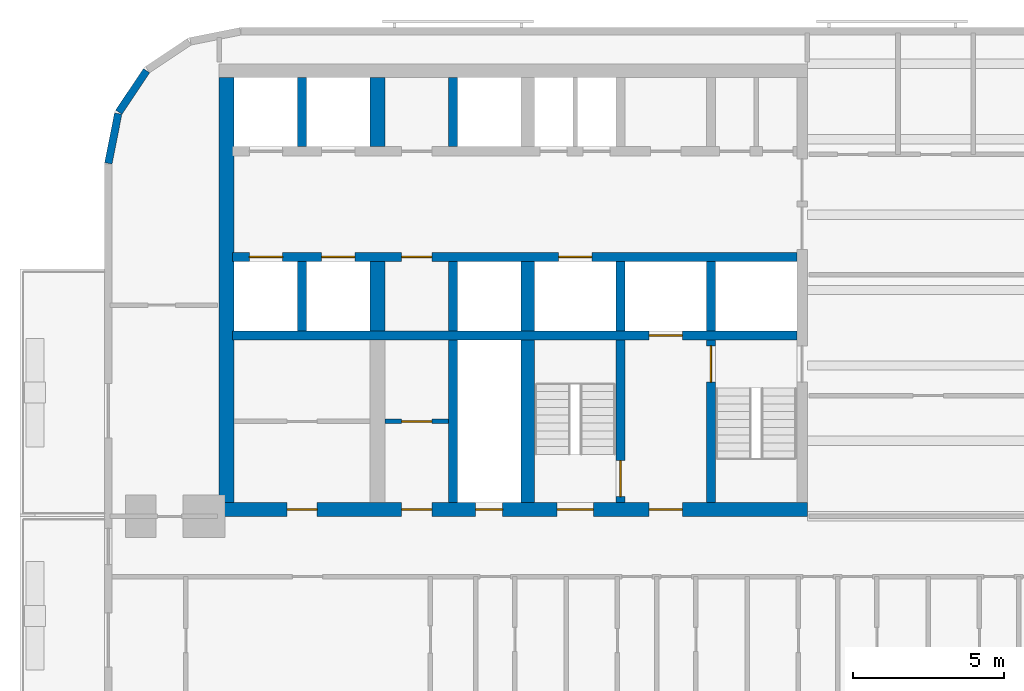
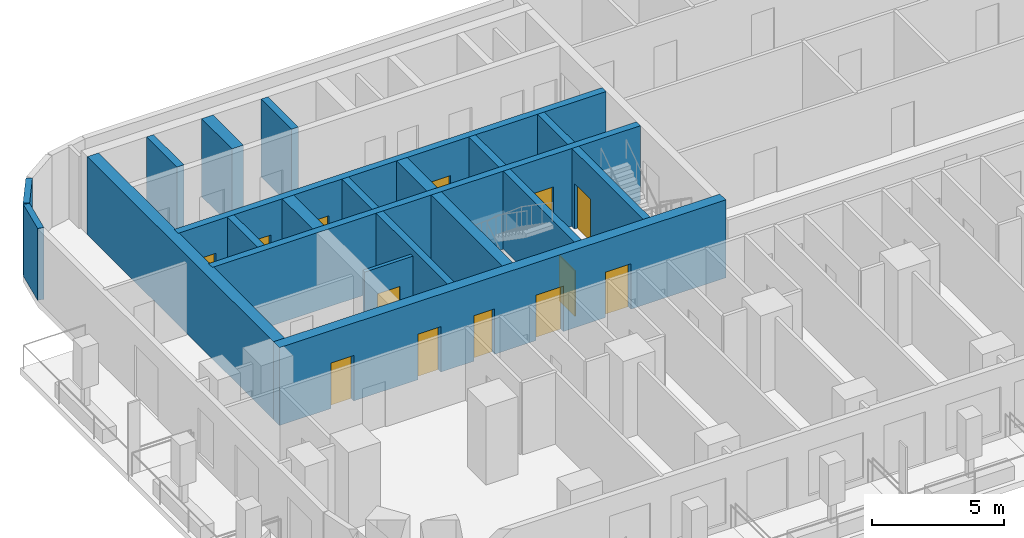
# One storey, part 3 of 14: 20 walls, 13 doors, 13 openings.
"""IFC4 building model written with IfcOpenShell, lengths in metres."""

from ifc_helpers import new_model, si_unit, direction, frame, frame_2d, origin, place, context, subcontext, project, spatial, rectangle, extrude, material, layer, layer_set, type_object, element, fill, save


model = new_model("IFC4")

# Units and contexts
model_context = context("Model", 3, precision=1e-05, world=origin(), true_north=direction((0.0, 1.0)))
body_context = subcontext(model_context, "Body", "Model", "MODEL_VIEW")
ifc_project = project(units=[si_unit("LENGTHUNIT", "METRE"), si_unit("AREAUNIT", "SQUARE_METRE"), si_unit("VOLUMEUNIT", "CUBIC_METRE"), si_unit("PLANEANGLEUNIT", "RADIAN"), si_unit("MASSUNIT", "GRAM", prefix="KILO")], contexts=[model_context])

# Site, building, storey
site_placement = place(None, origin())
site = spatial("IfcSite", under=ifc_project, at=site_placement, CompositionType="ELEMENT")
building_placement = place(site_placement, origin())
building = spatial("IfcBuilding", under=site, at=building_placement, Name="Torana Hotel and Residences", CompositionType="ELEMENT")
storey_placement = place(building_placement, frame((0.0, 0.0, 63.60009765625)))
storey = spatial("IfcBuildingStorey", under=building, at=storey_placement, Name="L15", CompositionType="ELEMENT", Elevation=63.60009765625)

# Wall, openings, doors
ifc_material_1 = material(Name="Concrete C80/95", Category="concrete")
ifc_layer_1 = layer(ifc_material_1, 0.300048828125)
ifc_layer_set_1 = layer_set([ifc_layer_1], Name="CORE WALL 300 C80/95")
wall_type_1 = type_object("IfcWallType", Name="CORE WALL 300 C80/95", PredefinedType="SHEAR", material=ifc_layer_set_1)
wall_1_placement = place(storey_placement, frame((-29.050048828125, -6.39990234375, 0.0), z_axis=(0.0, 0.0, 1.0), x_axis=(1.0, 0.0, 0.0)))
wall_1 = element("IfcWall", 1, at=wall_1_placement, inside=storey, type_object=wall_type_1, Name="Core wall W row-S", PredefinedType="SHEAR", context=body_context, shape_type="SweptSolid", body=[
    extrude(rectangle(XDim=18.699951171875, YDim=0.300048828125, at=frame_2d((9.35009765625, 0.0))), origin(), (0.0, 0.0, 1.0), 3.599853515625),
])
opening_1_placement = place(wall_1_placement, frame((2.949951171875, 0.0, 0.0)))
opening_1 = element("IfcOpeningElement", 2, at=opening_1_placement, cuts=wall_1, Name="Opening LD", PredefinedType="OPENING", context=body_context, shape_type="SweptSolid", body=[
    extrude(rectangle(XDim=1.10009765625, YDim=2.10009765625, at=frame_2d((0.550048828125, 1.050048828125))), frame((0.0, 0.159912109375, 0.0), z_axis=(0.0, -1.0, 0.0), x_axis=(1.0, 0.0, 0.0)), (0.0, 0.0, 1.0), 0.320068359375),
])
opening_2_placement = place(wall_1_placement, frame((0.550048828125, 0.0, 0.0)))
opening_2 = element("IfcOpeningElement", 3, at=opening_2_placement, cuts=wall_1, Name="Opening LD", PredefinedType="OPENING", context=body_context, shape_type="SweptSolid", body=[
    extrude(rectangle(XDim=1.10009765625, YDim=2.10009765625, at=frame_2d((0.550048828125, 1.050048828125))), frame((0.0, 0.159912109375, 0.0), z_axis=(0.0, -1.0, 0.0), x_axis=(1.0, 0.0, 0.0)), (0.0, 0.0, 1.0), 0.320068359375),
])
opening_3_placement = place(wall_1_placement, frame((10.800048828125, 0.0, 0.0)))
opening_3 = element("IfcOpeningElement", 4, at=opening_3_placement, cuts=wall_1, Name="Opening LD", PredefinedType="OPENING", context=body_context, shape_type="SweptSolid", body=[
    extrude(rectangle(XDim=1.10009765625, YDim=2.10009765625, at=frame_2d((0.550048828125, 1.050048828125))), frame((0.0, 0.159912109375, 0.0), z_axis=(0.0, -1.0, 0.0), x_axis=(1.0, 0.0, 0.0)), (0.0, 0.0, 1.0), 0.320068359375),
])
opening_4_placement = place(wall_1_placement, frame((5.60009765625, 0.0, 0.0)))
opening_4 = element("IfcOpeningElement", 5, at=opening_4_placement, cuts=wall_1, Name="Opening L15-15", PredefinedType="OPENING", context=body_context, shape_type="SweptSolid", body=[
    extrude(rectangle(XDim=1.0, YDim=2.10009765625, at=frame_2d((0.5, 1.050048828125))), frame((0.0, 0.159912109375, 0.0), z_axis=(0.0, -1.0, 0.0), x_axis=(1.0, 0.0, 0.0)), (0.0, 0.0, 1.0), 0.320068359375),
])
ifc_material_2 = material(Name="Steel S235", Category="steel")
door_type_1 = type_object("IfcDoorType", Name="CORE ROOM FIRE DOOR D14 1000x2100", OperationType="SINGLE_SWING_LEFT", PredefinedType="DOOR", material=ifc_material_2)
door_1_placement = place(opening_4_placement, frame((0.5, 0.0, 0.0), z_axis=(0.0, 0.0, 1.0), x_axis=(-1.0, 0.0, 0.0)))
door_1 = element("IfcDoor", 6, at=door_1_placement, inside=storey, type_object=door_type_1, Name="Free-M2 door L15", OperationType="SINGLE_SWING_LEFT", OverallHeight=2.10009765625, OverallWidth=1.0, PredefinedType="DOOR", context=body_context, shape_type="SweptSolid", body=[
    extrude(rectangle(XDim=1.0, YDim=2.10009765625, at=frame_2d((0.0, 1.050048828125))), frame((0.0, -0.02490234375, 0.0), z_axis=(0.0, 1.0, 0.0), x_axis=(-1.0, 0.0, 0.0)), (0.0, 0.0, 1.0), 0.050048828125),
])
fill(opening_4, door_1)
ifc_material_3 = material(Name="Stainless steel 316", Category="steel")
door_type_2 = type_object("IfcDoorType", Name="LIFT LANDING DOOR LD 1100x2100", OperationType="DOUBLE_DOOR_SLIDING", PredefinedType="USERDEFINED", material=ifc_material_3)
door_2_placement = place(opening_1_placement, origin())
door_2 = element("IfcDoor", 7, at=door_2_placement, inside=storey, type_object=door_type_2, Name="Lift landing door L3 L15", ObjectType="LIFT LANDING DOOR", OperationType="DOUBLE_DOOR_SLIDING", OverallHeight=2.10009765625, OverallWidth=1.10009765625, PredefinedType="USERDEFINED", context=body_context, shape_type="SweptSolid", body=[
    extrude(rectangle(XDim=1.10009765625, YDim=2.10009765625, at=frame_2d((0.550048828125, 1.050048828125))), frame((0.0, 0.02490234375, 0.0), z_axis=(0.0, -1.0, 0.0), x_axis=(1.0, 0.0, 0.0)), (0.0, 0.0, 1.0), 0.050048828125),
])
fill(opening_1, door_2)
door_3_placement = place(opening_2_placement, origin())
door_3 = element("IfcDoor", 8, at=door_3_placement, inside=storey, type_object=door_type_2, Name="Lift landing door L4 L15", ObjectType="LIFT LANDING DOOR", OperationType="DOUBLE_DOOR_SLIDING", OverallHeight=2.10009765625, OverallWidth=1.10009765625, PredefinedType="USERDEFINED", context=body_context, shape_type="SweptSolid", body=[
    extrude(rectangle(XDim=1.10009765625, YDim=2.10009765625, at=frame_2d((0.550048828125, 1.050048828125))), frame((0.0, 0.02490234375, 0.0), z_axis=(0.0, -1.0, 0.0), x_axis=(1.0, 0.0, 0.0)), (0.0, 0.0, 1.0), 0.050048828125),
])
fill(opening_2, door_3)
door_4_placement = place(opening_3_placement, origin())
door_4 = element("IfcDoor", 9, at=door_4_placement, inside=storey, type_object=door_type_2, Name="Lift landing door SV1 L15", ObjectType="LIFT LANDING DOOR", OperationType="DOUBLE_DOOR_SLIDING", OverallHeight=2.10009765625, OverallWidth=1.10009765625, PredefinedType="USERDEFINED", context=body_context, shape_type="SweptSolid", body=[
    extrude(rectangle(XDim=1.10009765625, YDim=2.10009765625, at=frame_2d((0.550048828125, 1.050048828125))), frame((0.0, 0.02490234375, 0.0), z_axis=(0.0, -1.0, 0.0), x_axis=(1.0, 0.0, 0.0)), (0.0, 0.0, 1.0), 0.050048828125),
])
fill(opening_3, door_4)

# Wall, opening, door
wall_2_placement = place(storey_placement, frame((-29.050048828125, -9.0, 0.0), z_axis=(0.0, 0.0, 1.0), x_axis=(1.0, 0.0, 0.0)))
wall_2 = element("IfcWall", 10, at=wall_2_placement, inside=storey, type_object=wall_type_1, Name="Core wall W band", PredefinedType="SHEAR", context=body_context, shape_type="SweptSolid", body=[
    extrude(rectangle(XDim=18.699951171875, YDim=0.300048828125, at=frame_2d((9.35009765625, 0.0))), origin(), (0.0, 0.0, 1.0), 3.599853515625),
])
opening_5_placement = place(wall_2_placement, frame((13.800048828125, 0.0, 0.0)))
opening_5 = element("IfcOpeningElement", 11, at=opening_5_placement, cuts=wall_2, Name="Opening LD", PredefinedType="OPENING", context=body_context, shape_type="SweptSolid", body=[
    extrude(rectangle(XDim=1.10009765625, YDim=2.10009765625, at=frame_2d((0.550048828125, 1.050048828125))), frame((0.0, 0.159912109375, 0.0), z_axis=(0.0, -1.0, 0.0), x_axis=(1.0, 0.0, 0.0)), (0.0, 0.0, 1.0), 0.320068359375),
])
door_5_placement = place(opening_5_placement, origin())
door_5 = element("IfcDoor", 12, at=door_5_placement, inside=storey, type_object=door_type_2, Name="Lift landing door FF1 L15", ObjectType="LIFT LANDING DOOR", OperationType="DOUBLE_DOOR_SLIDING", OverallHeight=2.10009765625, OverallWidth=1.10009765625, PredefinedType="USERDEFINED", context=body_context, shape_type="SweptSolid", body=[
    extrude(rectangle(XDim=1.10009765625, YDim=2.10009765625, at=frame_2d((0.550048828125, 1.050048828125))), frame((0.0, 0.02490234375, 0.0), z_axis=(0.0, -1.0, 0.0), x_axis=(1.0, 0.0, 0.0)), (0.0, 0.0, 1.0), 0.050048828125),
])
fill(opening_5, door_5)

# Wall
wall_3_placement = place(storey_placement, frame((-13.199951171875, -8.85009765625, 0.0), z_axis=(0.0, 0.0, 1.0), x_axis=(0.0, 1.0, 0.0)))
element("IfcWall", 13, at=wall_3_placement, inside=storey, type_object=wall_type_1, Name="Core wall W x3.05-S", PredefinedType="SHEAR", context=body_context, shape_type="SweptSolid", body=[
    extrude(rectangle(XDim=2.300048828125, YDim=0.300048828125, at=frame_2d((1.14990234375, 0.0))), origin(), (0.0, 0.0, 1.0), 3.599853515625),
])

# Wall, opening, door
wall_4_placement = place(storey_placement, frame((-13.199951171875, -14.550048828125, 0.0), z_axis=(0.0, 0.0, 1.0), x_axis=(0.0, 1.0, 0.0)))
wall_4 = element("IfcWall", 14, at=wall_4_placement, inside=storey, type_object=wall_type_1, Name="Core wall W x3.05-band", PredefinedType="SHEAR", context=body_context, shape_type="SweptSolid", body=[
    extrude(rectangle(XDim=5.400146484375, YDim=0.300048828125, at=frame_2d((2.7001953125, 0.0))), origin(), (0.0, 0.0, 1.0), 3.599853515625),
])
opening_6_placement = place(wall_4_placement, frame((4.0, 0.0, 0.0)))
opening_6 = element("IfcOpeningElement", 15, at=opening_6_placement, cuts=wall_4, Name="Opening L15-16", PredefinedType="OPENING", context=body_context, shape_type="SweptSolid", body=[
    extrude(rectangle(XDim=1.199951171875, YDim=2.10009765625, at=frame_2d((0.60009765625, 1.050048828125))), frame((0.0, 0.159912109375, 0.0), z_axis=(0.0, -1.0, 0.0), x_axis=(1.0, 0.0, 0.0)), (0.0, 0.0, 1.0), 0.320068359375),
])
ifc_material_4 = material(Name="Steel S235", Category="steel")
door_type_3 = type_object("IfcDoorType", Name="STAIR FIRE DOOR D3 1200x2100", OperationType="SINGLE_SWING_LEFT", PredefinedType="DOOR", material=ifc_material_4)
door_6_placement = place(opening_6_placement, frame((0.60009765625, 0.0, 0.0), z_axis=(0.0, 0.0, 1.0), x_axis=(-1.0, 0.0, 0.0)))
door_6 = element("IfcDoor", 16, at=door_6_placement, inside=storey, type_object=door_type_3, Name="Stair-A-lobby door L15", OperationType="SINGLE_SWING_RIGHT", OverallHeight=2.10009765625, OverallWidth=1.199951171875, PredefinedType="DOOR", context=body_context, shape_type="SweptSolid", body=[
    extrude(rectangle(XDim=1.199951171875, YDim=2.10009765625, at=frame_2d((0.0, 1.050048828125))), frame((0.0, -0.02490234375, 0.0), z_axis=(0.0, 1.0, 0.0), x_axis=(-1.0, 0.0, 0.0)), (0.0, 0.0, 1.0), 0.050048828125),
])
fill(opening_6, door_6)

# Wall
wall_5_placement = place(storey_placement, frame((-16.199951171875, -8.85009765625, 0.0), z_axis=(0.0, 0.0, 1.0), x_axis=(0.0, 1.0, 0.0)))
element("IfcWall", 17, at=wall_5_placement, inside=storey, type_object=wall_type_1, Name="Core wall W x6.05-S", PredefinedType="SHEAR", context=body_context, shape_type="SweptSolid", body=[
    extrude(rectangle(XDim=2.300048828125, YDim=0.300048828125, at=frame_2d((1.14990234375, 0.0))), origin(), (0.0, 0.0, 1.0), 3.599853515625),
])

# Wall, opening, door
wall_6_placement = place(storey_placement, frame((-16.199951171875, -14.550048828125, 0.0), z_axis=(0.0, 0.0, 1.0), x_axis=(0.0, 1.0, 0.0)))
wall_6 = element("IfcWall", 18, at=wall_6_placement, inside=storey, type_object=wall_type_1, Name="Core wall W x6.05-band", PredefinedType="SHEAR", context=body_context, shape_type="SweptSolid", body=[
    extrude(rectangle(XDim=5.400146484375, YDim=0.300048828125, at=frame_2d((2.7001953125, 0.0))), origin(), (0.0, 0.0, 1.0), 3.599853515625),
])
opening_7_placement = place(wall_6_placement, frame((0.199951171875, 0.0, 0.0)))
opening_7 = element("IfcOpeningElement", 19, at=opening_7_placement, cuts=wall_6, Name="Opening L15-17", PredefinedType="OPENING", context=body_context, shape_type="SweptSolid", body=[
    extrude(rectangle(XDim=1.199951171875, YDim=2.10009765625, at=frame_2d((0.60009765625, 1.050048828125))), frame((0.0, 0.159912109375, 0.0), z_axis=(0.0, -1.0, 0.0), x_axis=(1.0, 0.0, 0.0)), (0.0, 0.0, 1.0), 0.320068359375),
])
door_7_placement = place(opening_7_placement, origin())
door_7 = element("IfcDoor", 20, at=door_7_placement, inside=storey, type_object=door_type_3, Name="Stair-B-lobby door L15", OperationType="SINGLE_SWING_RIGHT", OverallHeight=2.10009765625, OverallWidth=1.199951171875, PredefinedType="DOOR", context=body_context, shape_type="SweptSolid", body=[
    extrude(rectangle(XDim=1.199951171875, YDim=2.10009765625, at=frame_2d((0.60009765625, 1.050048828125))), frame((0.0, 0.02490234375, 0.0), z_axis=(0.0, -1.0, 0.0), x_axis=(1.0, 0.0, 0.0)), (0.0, 0.0, 1.0), 0.050048828125),
])
fill(opening_7, door_7)

# Walls
for number, where, z_axis, x_axis, name in (
    (21, (-21.75, -2.75, 0.0), (0.0, 0.0, 1.0), (0.0, 1.0, 0.0), "Core wall W mm-N"),
    (22, (-21.75, -8.85009765625, 0.0), (0.0, 0.0, 1.0), (0.0, 1.0, 0.0), "Core wall W mm-S"),
):
    element("IfcWall", number, at=place(storey_placement, frame(where, z_axis=z_axis, x_axis=x_axis)), inside=storey, type_object=wall_type_1, Name=name, PredefinedType="SHEAR", context=body_context, shape_type="SweptSolid", body=[
        extrude(rectangle(XDim=2.300048828125, YDim=0.300048828125, at=frame_2d((1.14990234375, 0.0))), origin(), (0.0, 0.0, 1.0), 3.599853515625),
    ])
wall_7_placement = place(storey_placement, frame((-21.75, -14.550048828125, 0.0), z_axis=(0.0, 0.0, 1.0), x_axis=(0.0, 1.0, 0.0)))
element("IfcWall", 23, at=wall_7_placement, inside=storey, type_object=wall_type_1, Name="Core wall W mm-band", PredefinedType="SHEAR", context=body_context, shape_type="SweptSolid", body=[
    extrude(rectangle(XDim=5.400146484375, YDim=0.300048828125, at=frame_2d((2.7001953125, 0.0))), origin(), (0.0, 0.0, 1.0), 3.599853515625),
])
for number, where, z_axis, x_axis, name in (
    (24, (-26.75, -2.75, 0.0), (0.0, 0.0, 1.0), (0.0, 1.0, 0.0), "Core wall W ll-N"),
    (25, (-26.75, -8.85009765625, 0.0), (0.0, 0.0, 1.0), (0.0, 1.0, 0.0), "Core wall W ll-S"),
):
    element("IfcWall", number, at=place(storey_placement, frame(where, z_axis=z_axis, x_axis=x_axis)), inside=storey, type_object=wall_type_1, Name=name, PredefinedType="SHEAR", context=body_context, shape_type="SweptSolid", body=[
        extrude(rectangle(XDim=2.300048828125, YDim=0.300048828125, at=frame_2d((1.14990234375, 0.0))), origin(), (0.0, 0.0, 1.0), 3.599853515625),
    ])

# Wall, openings, doors
ifc_material_5 = material(Name="Concrete C80/95", Category="concrete")
ifc_layer_2 = layer(ifc_material_5, 0.449951171875)
ifc_layer_set_2 = layer_set([ifc_layer_2], Name="CORE WALL 450 C80/95")
wall_type_2 = type_object("IfcWallType", Name="CORE WALL 450 C80/95", PredefinedType="SHEAR", material=ifc_layer_set_2)
wall_8_placement = place(storey_placement, frame((-29.5, -14.77490234375, 0.0), z_axis=(0.0, 0.0, 1.0), x_axis=(1.0, 0.0, 0.0)))
wall_8 = element("IfcWall", 26, at=wall_8_placement, inside=storey, type_object=wall_type_2, Name="Core wall W front", PredefinedType="SHEAR", context=body_context, shape_type="SweptSolid", body=[
    extrude(rectangle(XDim=19.5, YDim=0.449951171875, at=frame_2d((9.75, 0.0))), origin(), (0.0, 0.0, 1.0), 3.599853515625),
])
opening_8_placement = place(wall_8_placement, frame((11.199951171875, 0.0, 0.0)))
opening_8 = element("IfcOpeningElement", 27, at=opening_8_placement, cuts=wall_8, Name="Opening L15-04", PredefinedType="OPENING", context=body_context, shape_type="SweptSolid", body=[
    extrude(rectangle(XDim=1.199951171875, YDim=2.10009765625, at=frame_2d((0.60009765625, 1.050048828125))), frame((0.0, 0.23486328125, 0.0), z_axis=(0.0, -1.0, 0.0), x_axis=(1.0, 0.0, 0.0)), (0.0, 0.0, 1.0), 0.469970703125),
])
opening_9_placement = place(wall_8_placement, frame((14.25, 0.0, 0.0)))
opening_9 = element("IfcOpeningElement", 28, at=opening_9_placement, cuts=wall_8, Name="Opening L15-05", PredefinedType="OPENING", context=body_context, shape_type="SweptSolid", body=[
    extrude(rectangle(XDim=1.10009765625, YDim=2.10009765625, at=frame_2d((0.550048828125, 1.050048828125))), frame((0.0, 0.23486328125, 0.0), z_axis=(0.0, -1.0, 0.0), x_axis=(1.0, 0.0, 0.0)), (0.0, 0.0, 1.0), 0.469970703125),
])
opening_10_placement = place(wall_8_placement, frame((8.5, 0.0, 0.0)))
opening_10 = element("IfcOpeningElement", 29, at=opening_10_placement, cuts=wall_8, Name="Opening L15-06", PredefinedType="OPENING", context=body_context, shape_type="SweptSolid", body=[
    extrude(rectangle(XDim=0.89990234375, YDim=2.10009765625, at=frame_2d((0.449951171875, 1.050048828125))), frame((0.0, 0.23486328125, 0.0), z_axis=(0.0, -1.0, 0.0), x_axis=(1.0, 0.0, 0.0)), (0.0, 0.0, 1.0), 0.469970703125),
])
opening_11_placement = place(wall_8_placement, frame((6.050048828125, 0.0, 0.0)))
opening_11 = element("IfcOpeningElement", 30, at=opening_11_placement, cuts=wall_8, Name="Opening L15-07", PredefinedType="OPENING", context=body_context, shape_type="SweptSolid", body=[
    extrude(rectangle(XDim=1.0, YDim=2.10009765625, at=frame_2d((0.5, 1.050048828125))), frame((0.0, 0.23486328125, 0.0), z_axis=(0.0, -1.0, 0.0), x_axis=(1.0, 0.0, 0.0)), (0.0, 0.0, 1.0), 0.469970703125),
])
opening_12_placement = place(wall_8_placement, frame((2.25, 0.0, 0.0)))
opening_12 = element("IfcOpeningElement", 31, at=opening_12_placement, cuts=wall_8, Name="Opening L15-08", PredefinedType="OPENING", context=body_context, shape_type="SweptSolid", body=[
    extrude(rectangle(XDim=1.0, YDim=2.10009765625, at=frame_2d((0.5, 1.050048828125))), frame((0.0, 0.23486328125, 0.0), z_axis=(0.0, -1.0, 0.0), x_axis=(1.0, 0.0, 0.0)), (0.0, 0.0, 1.0), 0.469970703125),
])
door_8_placement = place(opening_11_placement, origin())
door_8 = element("IfcDoor", 32, at=door_8_placement, inside=storey, type_object=door_type_1, Name="M-Room-B door L15", OperationType="SINGLE_SWING_RIGHT", OverallHeight=2.10009765625, OverallWidth=1.0, PredefinedType="DOOR", context=body_context, shape_type="SweptSolid", body=[
    extrude(rectangle(XDim=1.0, YDim=2.10009765625, at=frame_2d((0.5, 1.050048828125))), frame((0.0, 0.02490234375, 0.0), z_axis=(0.0, -1.0, 0.0), x_axis=(1.0, 0.0, 0.0)), (0.0, 0.0, 1.0), 0.050048828125),
])
fill(opening_11, door_8)
door_9_placement = place(opening_12_placement, origin())
door_9 = element("IfcDoor", 33, at=door_9_placement, inside=storey, type_object=door_type_1, Name="L-B door L15", OperationType="SINGLE_SWING_RIGHT", OverallHeight=2.10009765625, OverallWidth=1.0, PredefinedType="DOOR", context=body_context, shape_type="SweptSolid", body=[
    extrude(rectangle(XDim=1.0, YDim=2.10009765625, at=frame_2d((0.5, 1.050048828125))), frame((0.0, 0.02490234375, 0.0), z_axis=(0.0, -1.0, 0.0), x_axis=(1.0, 0.0, 0.0)), (0.0, 0.0, 1.0), 0.050048828125),
])
fill(opening_12, door_9)
ifc_material_6 = material(Name="Steel S235", Category="steel")
door_type_4 = type_object("IfcDoorType", Name="FIRE-FIGHTING LOBBY DOOR D8 1100x2100", OperationType="SINGLE_SWING_LEFT", PredefinedType="DOOR", material=ifc_material_6)
door_10_placement = place(opening_9_placement, origin())
door_10 = element("IfcDoor", 34, at=door_10_placement, inside=storey, type_object=door_type_4, Name="FF-lobby door L15", OperationType="SINGLE_SWING_RIGHT", OverallHeight=2.10009765625, OverallWidth=1.10009765625, PredefinedType="DOOR", context=body_context, shape_type="SweptSolid", body=[
    extrude(rectangle(XDim=1.10009765625, YDim=2.10009765625, at=frame_2d((0.550048828125, 1.050048828125))), frame((0.0, 0.02490234375, 0.0), z_axis=(0.0, -1.0, 0.0), x_axis=(1.0, 0.0, 0.0)), (0.0, 0.0, 1.0), 0.050048828125),
])
fill(opening_9, door_10)
ifc_material_7 = material(Name="Steel S235", Category="steel")
door_type_5 = type_object("IfcDoorType", Name="RISER ACCESS DOOR D5 900x2100", OperationType="SINGLE_SWING_LEFT", PredefinedType="DOOR", material=ifc_material_7)
door_11_placement = place(opening_10_placement, origin())
door_11 = element("IfcDoor", 35, at=door_11_placement, inside=storey, type_object=door_type_5, Name="M-Riser door L15", OperationType="SINGLE_SWING_RIGHT", OverallHeight=2.10009765625, OverallWidth=0.89990234375, PredefinedType="DOOR", context=body_context, shape_type="SweptSolid", body=[
    extrude(rectangle(XDim=0.89990234375, YDim=2.10009765625, at=frame_2d((0.449951171875, 1.050048828125))), frame((0.0, 0.02490234375, 0.0), z_axis=(0.0, -1.0, 0.0), x_axis=(1.0, 0.0, 0.0)), (0.0, 0.0, 1.0), 0.050048828125),
])
fill(opening_10, door_11)
door_12_placement = place(opening_8_placement, origin())
door_12 = element("IfcDoor", 36, at=door_12_placement, inside=storey, type_object=door_type_3, Name="Stair-B door L15", OperationType="SINGLE_SWING_RIGHT", OverallHeight=2.10009765625, OverallWidth=1.199951171875, PredefinedType="DOOR", context=body_context, shape_type="SweptSolid", body=[
    extrude(rectangle(XDim=1.199951171875, YDim=2.10009765625, at=frame_2d((0.60009765625, 1.050048828125))), frame((0.0, 0.02490234375, 0.0), z_axis=(0.0, -1.0, 0.0), x_axis=(1.0, 0.0, 0.0)), (0.0, 0.0, 1.0), 0.050048828125),
])
fill(opening_8, door_12)

# Walls
wall_9_placement = place(storey_placement, frame((-19.27490234375, -8.85009765625, 0.0), z_axis=(0.0, 0.0, 1.0), x_axis=(0.0, 1.0, 0.0)))
element("IfcWall", 37, at=wall_9_placement, inside=storey, type_object=wall_type_2, Name="Core wall W hm-S", PredefinedType="SHEAR", context=body_context, shape_type="SweptSolid", body=[
    extrude(rectangle(XDim=2.300048828125, YDim=0.449951171875, at=frame_2d((1.14990234375, 0.0))), origin(), (0.0, 0.0, 1.0), 3.599853515625),
])
wall_10_placement = place(storey_placement, frame((-19.27490234375, -14.550048828125, 0.0), z_axis=(0.0, 0.0, 1.0), x_axis=(0.0, 1.0, 0.0)))
element("IfcWall", 38, at=wall_10_placement, inside=storey, type_object=wall_type_2, Name="Core wall W hm-band", PredefinedType="SHEAR", context=body_context, shape_type="SweptSolid", body=[
    extrude(rectangle(XDim=5.400146484375, YDim=0.449951171875, at=frame_2d((2.7001953125, 0.0))), origin(), (0.0, 0.0, 1.0), 3.599853515625),
])
ifc_material_8 = material(Name="Concrete C80/95", Category="concrete")
ifc_layer_3 = layer(ifc_material_8, 0.5)
ifc_layer_set_3 = layer_set([ifc_layer_3], Name="CORE WALL 500 C80/95")
wall_type_3 = type_object("IfcWallType", Name="CORE WALL 500 C80/95", PredefinedType="SHEAR", material=ifc_layer_set_3)
wall_11_placement = place(storey_placement, frame((-29.25, -14.550048828125, 0.0), z_axis=(0.0, 0.0, 1.0), x_axis=(0.0, 1.0, 0.0)))
element("IfcWall", 39, at=wall_11_placement, inside=storey, type_object=wall_type_3, Name="Core wall W outer", PredefinedType="SHEAR", context=body_context, shape_type="SweptSolid", body=[
    extrude(rectangle(XDim=14.10009765625, YDim=0.5, at=frame_2d((7.050048828125, 0.0))), origin(), (0.0, 0.0, 1.0), 3.599853515625),
])
for number, where, z_axis, x_axis, name in (
    (40, (-24.25, -2.75, 0.0), (0.0, 0.0, 1.0), (0.0, 1.0, 0.0), "Core wall W ml-N"),
    (41, (-24.25, -8.85009765625, 0.0), (0.0, 0.0, 1.0), (0.0, 1.0, 0.0), "Core wall W ml-S"),
):
    element("IfcWall", number, at=place(storey_placement, frame(where, z_axis=z_axis, x_axis=x_axis)), inside=storey, type_object=wall_type_3, Name=name, PredefinedType="SHEAR", context=body_context, shape_type="SweptSolid", body=[
        extrude(rectangle(XDim=2.300048828125, YDim=0.5, at=frame_2d((1.14990234375, 0.0))), origin(), (0.0, 0.0, 1.0), 3.599853515625),
    ])
ifc_material_9 = material(Name="Black aluminium composite panel", Category="aluminium")
ifc_layer_4 = layer(ifc_material_9, 0.00390625, Name="Cladding", Category="cladding")
ifc_material_10 = material(Name="Ventilated air cavity")
ifc_layer_5 = layer(ifc_material_10, 0.0400390625, Name="Ventilated cavity", Category="cavity")
ifc_material_11 = material(Name="Mineral wool insulation")
ifc_layer_6 = layer(ifc_material_11, 0.090087890625, Name="Insulation", Category="insulation")
ifc_material_12 = material(Name="Steel S280GD", Category="steel")
ifc_layer_7 = layer(ifc_material_12, 0.092041015625, Name="Steel stud frame", Category="structure")
ifc_material_13 = material(Name="Fire rated plasterboard")
ifc_layer_8 = layer(ifc_material_13, 0.011962890625, Name="Inner board", Category="finish")
ifc_layer_9 = layer(ifc_material_13, 0.011962890625, Name="Second board", Category="finish")
ifc_layer_set_4 = layer_set([ifc_layer_4, ifc_layer_5, ifc_layer_6, ifc_layer_7, ifc_layer_8, ifc_layer_9], Name="EW1 EXTERNAL WALL BLACK METAL CLAD 250")
wall_type_4 = type_object("IfcWallType", Name="EW1 EXTERNAL WALL BLACK METAL CLAD 250", PredefinedType="SOLIDWALL", material=ifc_layer_set_4)
wall_12_placement = place(storey_placement, frame((-31.90576171875, -0.228759765625, 0.0), z_axis=(0.0, 0.0, 1.0), x_axis=(-0.55555029066, -0.831482937015, 0.0)))
element("IfcWall", 42, at=wall_12_placement, inside=storey, type_object=wall_type_4, Name="External wall L15 e0.7", PredefinedType="SOLIDWALL", context=body_context, shape_type="SweptSolid", body=[
    extrude(rectangle(XDim=1.65625, YDim=0.25, at=frame_2d((0.828125, 0.0))), origin(), (0.0, 0.0, 1.0), 3.31982421875),
])
wall_13_placement = place(storey_placement, frame((-32.844482421875, -1.651123046875, 0.0), z_axis=(0.0, 0.0, 1.0), x_axis=(-0.19513878023, -0.980775640221, 0.0)))
element("IfcWall", 43, at=wall_13_placement, inside=storey, type_object=wall_type_4, Name="External wall L15 e0.8", PredefinedType="SOLIDWALL", context=body_context, shape_type="SweptSolid", body=[
    extrude(rectangle(XDim=1.681396484375, YDim=0.25, at=frame_2d((0.8408203125, 0.0))), origin(), (0.0, 0.0, 1.0), 3.31982421875),
])

# Wall, opening, door
ifc_material_14 = material(Name="Gypsum plaster")
ifc_layer_10 = layer(ifc_material_14, 0.014892578125, Name="Plaster", Category="finish")
ifc_material_15 = material(Name="Concrete blockwork", Category="masonry")
ifc_layer_11 = layer(ifc_material_15, 0.1201171875, Name="Blockwork", Category="structure")
ifc_layer_12 = layer(ifc_material_14, 0.014892578125, Name="Plaster", Category="finish")
ifc_layer_set_5 = layer_set([ifc_layer_10, ifc_layer_11, ifc_layer_12], Name="FIRE PARTITION 150 BLOCKWORK")
wall_type_5 = type_object("IfcWallType", Name="FIRE PARTITION 150 BLOCKWORK", PredefinedType="PARTITIONING", material=ifc_layer_set_5)
wall_14_placement = place(storey_placement, frame((-24.0, -11.85009765625, 0.0), z_axis=(0.0, 0.0, 1.0), x_axis=(1.0, 0.0, 0.0)))
wall_14 = element("IfcWall", 44, at=wall_14_placement, inside=storey, type_object=wall_type_5, Name="Core partition L15", PredefinedType="PARTITIONING", context=body_context, shape_type="SweptSolid", body=[
    extrude(rectangle(XDim=2.10009765625, YDim=0.14990234375, at=frame_2d((1.050048828125, 0.0))), origin(), (0.0, 0.0, 1.0), 3.2998046875),
])
opening_13_placement = place(wall_14_placement, frame((0.550048828125, 0.0, 0.0)))
opening_13 = element("IfcOpeningElement", 45, at=opening_13_placement, cuts=wall_14, Name="Opening L15-35", PredefinedType="OPENING", context=body_context, shape_type="SweptSolid", body=[
    extrude(rectangle(XDim=1.0, YDim=2.10009765625, at=frame_2d((0.5, 1.050048828125))), frame((0.0, 0.0849609375, 0.0), z_axis=(0.0, -1.0, 0.0), x_axis=(1.0, 0.0, 0.0)), (0.0, 0.0, 1.0), 0.169921875),
])
door_13_placement = place(opening_13_placement, origin())
door_13 = element("IfcDoor", 46, at=door_13_placement, inside=storey, type_object=door_type_1, Name="Plant room door L15", OperationType="SINGLE_SWING_RIGHT", OverallHeight=2.10009765625, OverallWidth=1.0, PredefinedType="DOOR", context=body_context, shape_type="SweptSolid", body=[
    extrude(rectangle(XDim=1.0, YDim=2.10009765625, at=frame_2d((0.5, 1.050048828125))), frame((0.0, 0.02490234375, 0.0), z_axis=(0.0, -1.0, 0.0), x_axis=(1.0, 0.0, 0.0)), (0.0, 0.0, 1.0), 0.050048828125),
])
fill(opening_13, door_13)

save(model, "model.ifc")
